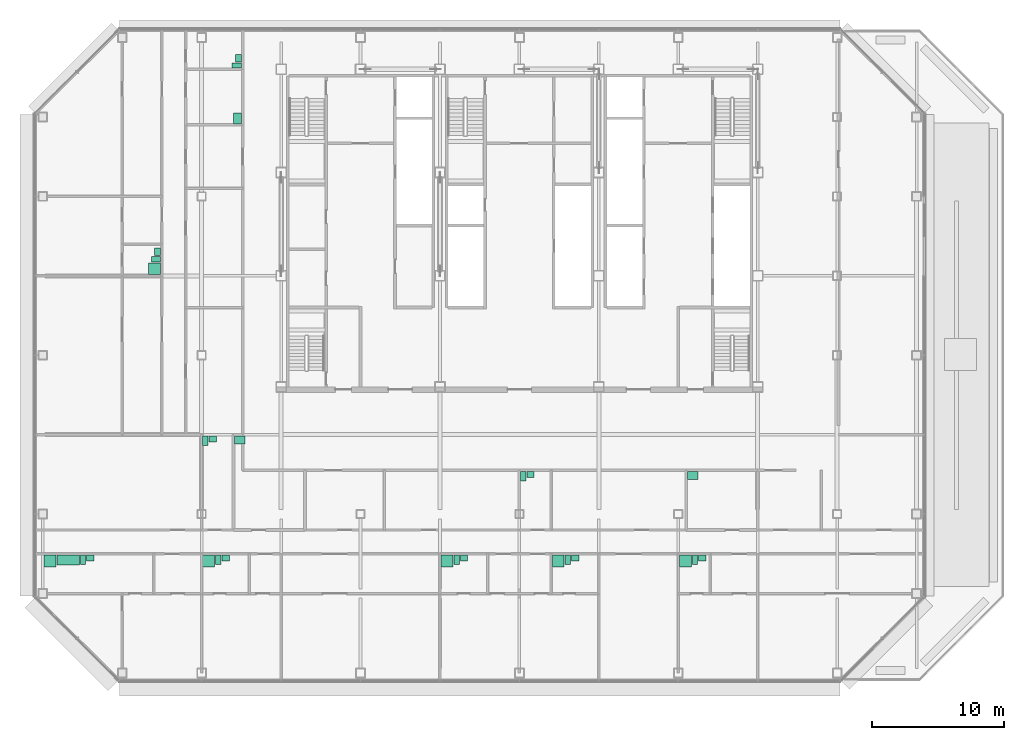
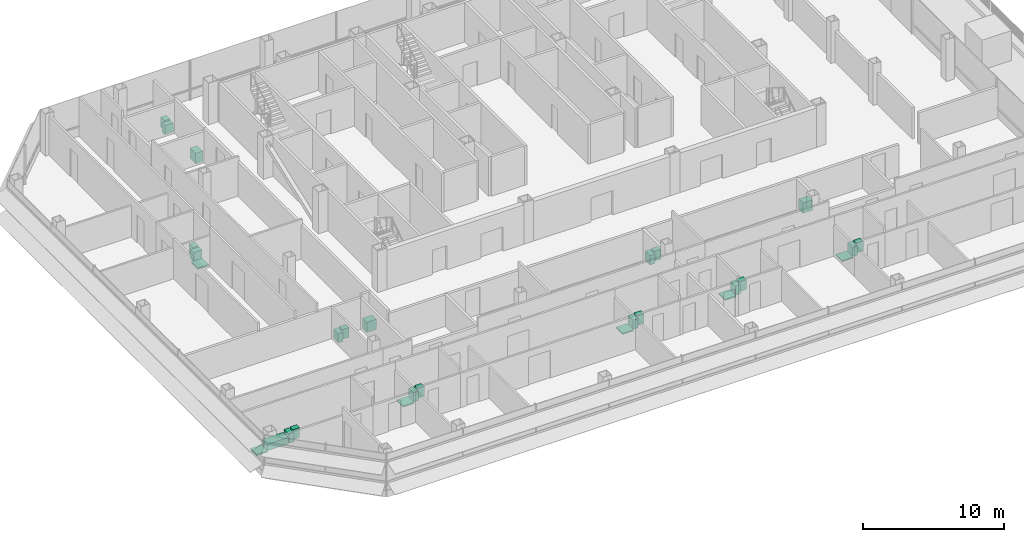
# One storey, part 26 of 27: 28 sanitary terminals.
"""IFC4 building model written with IfcOpenShell, lengths in metres."""

from ifc_helpers import new_model, si_unit, direction, frame, origin, origin_2d, place, context, subcontext, project, spatial, rectangle, extrude, element, save


model = new_model("IFC4")

# Units and contexts
model_context = context("Model", 3, precision=1e-05, world=origin(), true_north=direction((0.0, 1.0)))
body_context = subcontext(model_context, "Body", "Model", "MODEL_VIEW")
ifc_project = project(units=[si_unit("LENGTHUNIT", "METRE"), si_unit("AREAUNIT", "SQUARE_METRE"), si_unit("VOLUMEUNIT", "CUBIC_METRE"), si_unit("PLANEANGLEUNIT", "RADIAN"), si_unit("MASSUNIT", "GRAM", prefix="KILO")], contexts=[model_context])

# Site, building, storey
site_placement = place(None, origin())
site = spatial("IfcSite", under=ifc_project, at=site_placement, CompositionType="ELEMENT")
building_placement = place(site_placement, origin())
building = spatial("IfcBuilding", under=site, at=building_placement, Name="Sorahane Residences", CompositionType="ELEMENT")
storey_placement = place(building_placement, frame((0.0, 0.0, 192.0)))
storey = spatial("IfcBuildingStorey", under=building, at=storey_placement, Name="L44", CompositionType="ELEMENT", Elevation=192.0)

# Sanitary terminals
sanitary_terminal_1_placement = place(storey_placement, frame((-11.469970703125, 8.449951171875, 0.0), z_axis=(0.0, 0.0, 1.0), x_axis=(1.0, 0.0, 0.0)))
element("IfcSanitaryTerminal", 1, at=sanitary_terminal_1_placement, inside=storey, Name="Shower tray En-suite bathroom 44A", PredefinedType="SHOWER", context=body_context, shape_type="SweptSolid", body=[
    extrude(rectangle(XDim=0.89990234375, YDim=0.89990234375, at=origin_2d()), origin(), (0.0, 0.0, 1.0), 0.1201171875),
])
sanitary_terminal_2_placement = place(storey_placement, frame((-10.090087890625, 8.52490234375, 0.0), z_axis=(0.0, 0.0, 1.0), x_axis=(1.0, 0.0, 0.0)))
element("IfcSanitaryTerminal", 2, at=sanitary_terminal_2_placement, inside=storey, Name="Bath En-suite bathroom 44A", PredefinedType="BATH", context=body_context, shape_type="SweptSolid", body=[
    extrude(rectangle(XDim=1.699951171875, YDim=0.75, at=origin_2d()), origin(), (0.0, 0.0, 1.0), 0.56005859375),
])
sanitary_terminal_3_placement = place(storey_placement, frame((-8.9599609375, 8.550048828125, 0.0), z_axis=(0.0, 0.0, 1.0), x_axis=(1.0, 0.0, 0.0)))
element("IfcSanitaryTerminal", 3, at=sanitary_terminal_3_placement, inside=storey, Name="WC pan En-suite bathroom 44A", PredefinedType="TOILETPAN", context=body_context, shape_type="SweptSolid", body=[
    extrude(rectangle(XDim=0.39990234375, YDim=0.699951171875, at=origin_2d()), origin(), (0.0, 0.0, 1.0), 0.800048828125),
])
sanitary_terminal_4_placement = place(storey_placement, frame((-8.405029296875, 8.675048828125, 0.0), z_axis=(0.0, 0.0, 1.0), x_axis=(1.0, 0.0, 0.0)))
element("IfcSanitaryTerminal", 4, at=sanitary_terminal_4_placement, inside=storey, Name="Wash basin En-suite bathroom 44A", PredefinedType="WASHHANDBASIN", context=body_context, shape_type="SweptSolid", body=[
    extrude(rectangle(XDim=0.550048828125, YDim=0.449951171875, at=origin_2d()), origin(), (0.0, 0.0, 1.0), 0.85009765625),
])
sanitary_terminal_5_placement = place(storey_placement, frame((0.530029296875, 8.449951171875, 0.0), z_axis=(0.0, 0.0, 1.0), x_axis=(1.0, 0.0, 0.0)))
element("IfcSanitaryTerminal", 5, at=sanitary_terminal_5_placement, inside=storey, Name="Shower tray En-suite bathroom 44A-2", PredefinedType="SHOWER", context=body_context, shape_type="SweptSolid", body=[
    extrude(rectangle(XDim=0.89990234375, YDim=0.89990234375, at=origin_2d()), origin(), (0.0, 0.0, 1.0), 0.1201171875),
])
sanitary_terminal_6_placement = place(storey_placement, frame((1.260009765625, 8.550048828125, 0.0), z_axis=(0.0, 0.0, 1.0), x_axis=(1.0, 0.0, 0.0)))
element("IfcSanitaryTerminal", 6, at=sanitary_terminal_6_placement, inside=storey, Name="WC pan En-suite bathroom 44A-2", PredefinedType="TOILETPAN", context=body_context, shape_type="SweptSolid", body=[
    extrude(rectangle(XDim=0.39990234375, YDim=0.699951171875, at=origin_2d()), origin(), (0.0, 0.0, 1.0), 0.800048828125),
])
sanitary_terminal_7_placement = place(storey_placement, frame((1.81494140625, 8.675048828125, 0.0), z_axis=(0.0, 0.0, 1.0), x_axis=(1.0, 0.0, 0.0)))
element("IfcSanitaryTerminal", 7, at=sanitary_terminal_7_placement, inside=storey, Name="Wash basin En-suite bathroom 44A-2", PredefinedType="WASHHANDBASIN", context=body_context, shape_type="SweptSolid", body=[
    extrude(rectangle(XDim=0.550048828125, YDim=0.449951171875, at=origin_2d()), origin(), (0.0, 0.0, 1.0), 0.85009765625),
])
sanitary_terminal_8_placement = place(storey_placement, frame((18.530029296875, 8.449951171875, 0.0), z_axis=(0.0, 0.0, 1.0), x_axis=(1.0, 0.0, 0.0)))
element("IfcSanitaryTerminal", 8, at=sanitary_terminal_8_placement, inside=storey, Name="Shower tray En-suite bathroom 44A-3", PredefinedType="SHOWER", context=body_context, shape_type="SweptSolid", body=[
    extrude(rectangle(XDim=0.89990234375, YDim=0.89990234375, at=origin_2d()), origin(), (0.0, 0.0, 1.0), 0.1201171875),
])
sanitary_terminal_9_placement = place(storey_placement, frame((19.260009765625, 8.550048828125, 0.0), z_axis=(0.0, 0.0, 1.0), x_axis=(1.0, 0.0, 0.0)))
element("IfcSanitaryTerminal", 9, at=sanitary_terminal_9_placement, inside=storey, Name="WC pan En-suite bathroom 44A-3", PredefinedType="TOILETPAN", context=body_context, shape_type="SweptSolid", body=[
    extrude(rectangle(XDim=0.39990234375, YDim=0.699951171875, at=origin_2d()), origin(), (0.0, 0.0, 1.0), 0.800048828125),
])
sanitary_terminal_10_placement = place(storey_placement, frame((19.81494140625, 8.675048828125, 0.0), z_axis=(0.0, 0.0, 1.0), x_axis=(1.0, 0.0, 0.0)))
element("IfcSanitaryTerminal", 10, at=sanitary_terminal_10_placement, inside=storey, Name="Wash basin En-suite bathroom 44A-3", PredefinedType="WASHHANDBASIN", context=body_context, shape_type="SweptSolid", body=[
    extrude(rectangle(XDim=0.550048828125, YDim=0.449951171875, at=origin_2d()), origin(), (0.0, 0.0, 1.0), 0.85009765625),
])
sanitary_terminal_11_placement = place(storey_placement, frame((0.280029296875, 17.550048828125, 0.0), z_axis=(0.0, 0.0, 1.0), x_axis=(1.0, 0.0, 0.0)))
element("IfcSanitaryTerminal", 11, at=sanitary_terminal_11_placement, inside=storey, Name="WC pan Guest WC 44A", PredefinedType="TOILETPAN", context=body_context, shape_type="SweptSolid", body=[
    extrude(rectangle(XDim=0.39990234375, YDim=0.699951171875, at=origin_2d()), origin(), (0.0, 0.0, 1.0), 0.800048828125),
])
sanitary_terminal_12_placement = place(storey_placement, frame((0.8349609375, 17.675048828125, 0.0), z_axis=(0.0, 0.0, 1.0), x_axis=(1.0, 0.0, 0.0)))
element("IfcSanitaryTerminal", 12, at=sanitary_terminal_12_placement, inside=storey, Name="Wash basin Guest WC 44A", PredefinedType="WASHHANDBASIN", context=body_context, shape_type="SweptSolid", body=[
    extrude(rectangle(XDim=0.550048828125, YDim=0.449951171875, at=origin_2d()), origin(), (0.0, 0.0, 1.0), 0.85009765625),
])
sanitary_terminal_13_placement = place(storey_placement, frame((2.8798828125, 17.60009765625, 0.0), z_axis=(0.0, 0.0, 1.0), x_axis=(1.0, 0.0, 0.0)))
element("IfcSanitaryTerminal", 13, at=sanitary_terminal_13_placement, inside=storey, Name="Kitchen sink Kitchen 44A", PredefinedType="SINK", context=body_context, shape_type="SweptSolid", body=[
    extrude(rectangle(XDim=0.800048828125, YDim=0.60009765625, at=origin_2d()), origin(), (0.0, 0.0, 1.0), 0.89990234375),
])
sanitary_terminal_14_placement = place(storey_placement, frame((26.929931640625, 8.449951171875, 0.0), z_axis=(0.0, 0.0, 1.0), x_axis=(1.0, 0.0, 0.0)))
element("IfcSanitaryTerminal", 14, at=sanitary_terminal_14_placement, inside=storey, Name="Shower tray En-suite bathroom 44B", PredefinedType="SHOWER", context=body_context, shape_type="SweptSolid", body=[
    extrude(rectangle(XDim=0.89990234375, YDim=0.89990234375, at=origin_2d()), origin(), (0.0, 0.0, 1.0), 0.1201171875),
])
sanitary_terminal_15_placement = place(storey_placement, frame((27.659912109375, 8.550048828125, 0.0), z_axis=(0.0, 0.0, 1.0), x_axis=(1.0, 0.0, 0.0)))
element("IfcSanitaryTerminal", 15, at=sanitary_terminal_15_placement, inside=storey, Name="WC pan En-suite bathroom 44B", PredefinedType="TOILETPAN", context=body_context, shape_type="SweptSolid", body=[
    extrude(rectangle(XDim=0.39990234375, YDim=0.699951171875, at=origin_2d()), origin(), (0.0, 0.0, 1.0), 0.800048828125),
])
sanitary_terminal_16_placement = place(storey_placement, frame((28.215087890625, 8.675048828125, 0.0), z_axis=(0.0, 0.0, 1.0), x_axis=(1.0, 0.0, 0.0)))
element("IfcSanitaryTerminal", 16, at=sanitary_terminal_16_placement, inside=storey, Name="Wash basin En-suite bathroom 44B", PredefinedType="WASHHANDBASIN", context=body_context, shape_type="SweptSolid", body=[
    extrude(rectangle(XDim=0.550048828125, YDim=0.449951171875, at=origin_2d()), origin(), (0.0, 0.0, 1.0), 0.85009765625),
])
sanitary_terminal_17_placement = place(storey_placement, frame((36.530029296875, 8.449951171875, 0.0), z_axis=(0.0, 0.0, 1.0), x_axis=(1.0, 0.0, 0.0)))
element("IfcSanitaryTerminal", 17, at=sanitary_terminal_17_placement, inside=storey, Name="Shower tray En-suite bathroom 44B-2", PredefinedType="SHOWER", context=body_context, shape_type="SweptSolid", body=[
    extrude(rectangle(XDim=0.89990234375, YDim=0.89990234375, at=origin_2d()), origin(), (0.0, 0.0, 1.0), 0.1201171875),
])
sanitary_terminal_18_placement = place(storey_placement, frame((37.260009765625, 8.550048828125, 0.0), z_axis=(0.0, 0.0, 1.0), x_axis=(1.0, 0.0, 0.0)))
element("IfcSanitaryTerminal", 18, at=sanitary_terminal_18_placement, inside=storey, Name="WC pan En-suite bathroom 44B-2", PredefinedType="TOILETPAN", context=body_context, shape_type="SweptSolid", body=[
    extrude(rectangle(XDim=0.39990234375, YDim=0.699951171875, at=origin_2d()), origin(), (0.0, 0.0, 1.0), 0.800048828125),
])
sanitary_terminal_19_placement = place(storey_placement, frame((37.81494140625, 8.675048828125, 0.0), z_axis=(0.0, 0.0, 1.0), x_axis=(1.0, 0.0, 0.0)))
element("IfcSanitaryTerminal", 19, at=sanitary_terminal_19_placement, inside=storey, Name="Wash basin En-suite bathroom 44B-2", PredefinedType="WASHHANDBASIN", context=body_context, shape_type="SweptSolid", body=[
    extrude(rectangle(XDim=0.550048828125, YDim=0.449951171875, at=origin_2d()), origin(), (0.0, 0.0, 1.0), 0.85009765625),
])
sanitary_terminal_20_placement = place(storey_placement, frame((24.280029296875, 14.85009765625, 0.0), z_axis=(0.0, 0.0, 1.0), x_axis=(1.0, 0.0, 0.0)))
element("IfcSanitaryTerminal", 20, at=sanitary_terminal_20_placement, inside=storey, Name="WC pan Guest WC 44B", PredefinedType="TOILETPAN", context=body_context, shape_type="SweptSolid", body=[
    extrude(rectangle(XDim=0.39990234375, YDim=0.699951171875, at=origin_2d()), origin(), (0.0, 0.0, 1.0), 0.800048828125),
])
sanitary_terminal_21_placement = place(storey_placement, frame((24.8349609375, 14.97509765625, 0.0), z_axis=(0.0, 0.0, 1.0), x_axis=(1.0, 0.0, 0.0)))
element("IfcSanitaryTerminal", 21, at=sanitary_terminal_21_placement, inside=storey, Name="Wash basin Guest WC 44B", PredefinedType="WASHHANDBASIN", context=body_context, shape_type="SweptSolid", body=[
    extrude(rectangle(XDim=0.550048828125, YDim=0.449951171875, at=origin_2d()), origin(), (0.0, 0.0, 1.0), 0.85009765625),
])
sanitary_terminal_22_placement = place(storey_placement, frame((37.080078125, 14.89990234375, 0.0), z_axis=(0.0, 0.0, 1.0), x_axis=(1.0, 0.0, 0.0)))
element("IfcSanitaryTerminal", 22, at=sanitary_terminal_22_placement, inside=storey, Name="Kitchen sink Kitchen 44B", PredefinedType="SINK", context=body_context, shape_type="SweptSolid", body=[
    extrude(rectangle(XDim=0.800048828125, YDim=0.60009765625, at=origin_2d()), origin(), (0.0, 0.0, 1.0), 0.89990234375),
])
sanitary_terminal_23_placement = place(storey_placement, frame((-3.550048828125, 30.530029296875, 0.0), z_axis=(0.0, 0.0, 1.0), x_axis=(0.0, -1.0, 0.0)))
element("IfcSanitaryTerminal", 23, at=sanitary_terminal_23_placement, inside=storey, Name="Shower tray En-suite bathroom 44C", PredefinedType="SHOWER", context=body_context, shape_type="SweptSolid", body=[
    extrude(rectangle(XDim=0.89990234375, YDim=0.89990234375, at=origin_2d()), origin(), (0.0, 0.0, 1.0), 0.1201171875),
])
sanitary_terminal_24_placement = place(storey_placement, frame((-3.449951171875, 31.260009765625, 0.0), z_axis=(0.0, 0.0, 1.0), x_axis=(0.0, -1.0, 0.0)))
element("IfcSanitaryTerminal", 24, at=sanitary_terminal_24_placement, inside=storey, Name="WC pan En-suite bathroom 44C", PredefinedType="TOILETPAN", context=body_context, shape_type="SweptSolid", body=[
    extrude(rectangle(XDim=0.39990234375, YDim=0.699951171875, at=origin_2d()), origin(), (0.0, 0.0, 1.0), 0.800048828125),
])
sanitary_terminal_25_placement = place(storey_placement, frame((-3.324951171875, 31.81494140625, 0.0), z_axis=(0.0, 0.0, 1.0), x_axis=(0.0, -1.0, 0.0)))
element("IfcSanitaryTerminal", 25, at=sanitary_terminal_25_placement, inside=storey, Name="Wash basin En-suite bathroom 44C", PredefinedType="WASHHANDBASIN", context=body_context, shape_type="SweptSolid", body=[
    extrude(rectangle(XDim=0.550048828125, YDim=0.449951171875, at=origin_2d()), origin(), (0.0, 0.0, 1.0), 0.85009765625),
])
sanitary_terminal_26_placement = place(storey_placement, frame((2.699951171875, 41.8798828125, 0.0), z_axis=(0.0, 0.0, 1.0), x_axis=(0.0, -1.0, 0.0)))
element("IfcSanitaryTerminal", 26, at=sanitary_terminal_26_placement, inside=storey, Name="Kitchen sink Kitchen 44C", PredefinedType="SINK", context=body_context, shape_type="SweptSolid", body=[
    extrude(rectangle(XDim=0.800048828125, YDim=0.60009765625, at=origin_2d()), origin(), (0.0, 0.0, 1.0), 0.89990234375),
])
sanitary_terminal_27_placement = place(storey_placement, frame((2.64990234375, 45.8798828125, 0.0), z_axis=(0.0, 0.0, 1.0), x_axis=(0.0, -1.0, 0.0)))
element("IfcSanitaryTerminal", 27, at=sanitary_terminal_27_placement, inside=storey, Name="WC pan Powder room 44C", PredefinedType="TOILETPAN", context=body_context, shape_type="SweptSolid", body=[
    extrude(rectangle(XDim=0.39990234375, YDim=0.699951171875, at=origin_2d()), origin(), (0.0, 0.0, 1.0), 0.800048828125),
])
sanitary_terminal_28_placement = place(storey_placement, frame((2.77490234375, 46.43505859375, 0.0), z_axis=(0.0, 0.0, 1.0), x_axis=(0.0, -1.0, 0.0)))
element("IfcSanitaryTerminal", 28, at=sanitary_terminal_28_placement, inside=storey, Name="Wash basin Powder room 44C", PredefinedType="WASHHANDBASIN", context=body_context, shape_type="SweptSolid", body=[
    extrude(rectangle(XDim=0.550048828125, YDim=0.449951171875, at=origin_2d()), origin(), (0.0, 0.0, 1.0), 0.85009765625),
])

save(model, "model.ifc")
